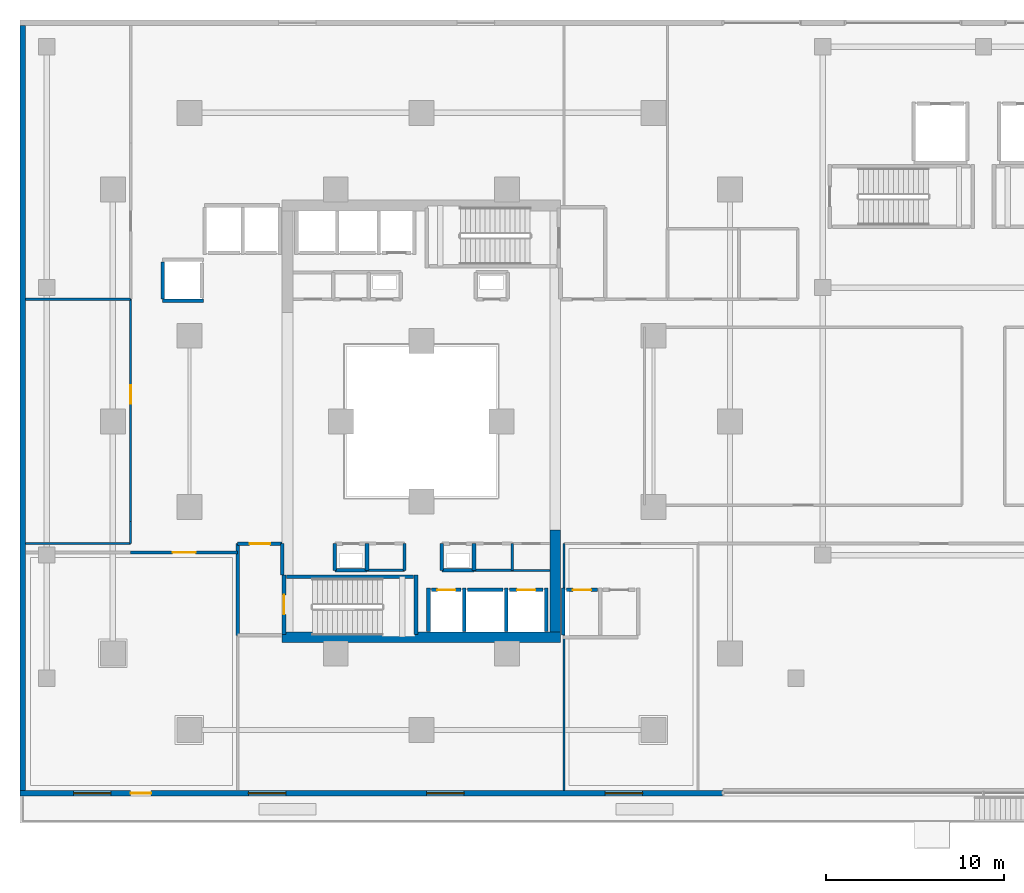
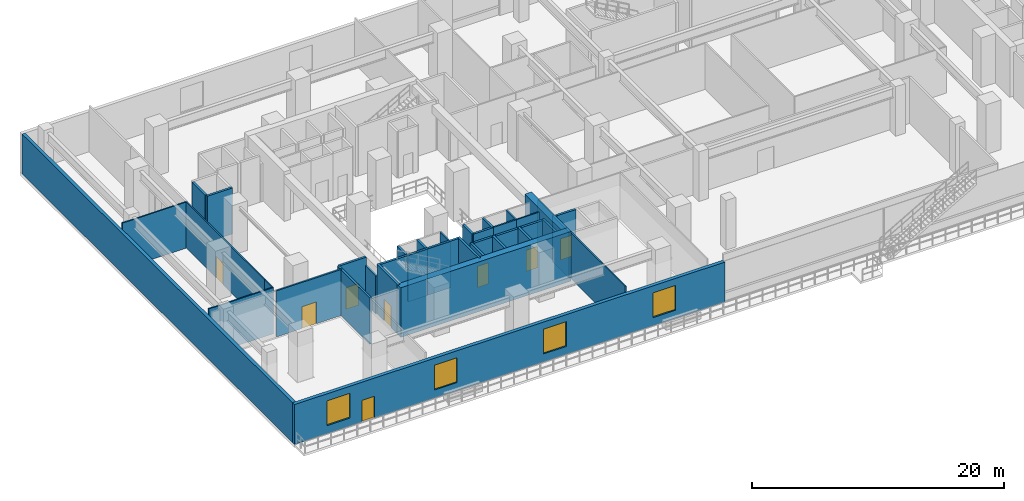
# One storey, part 11 of 22: 39 walls, 8 doors, 4 windows, 12 openings.
"""IFC4 building model written with IfcOpenShell, lengths in metres."""

from ifc_helpers import new_model, si_unit, direction, frame, frame_2d, origin, place, context, subcontext, project, spatial, rectangle, extrude, material, layer, layer_set, type_object, element, fill, save


model = new_model("IFC4")

# Units and contexts
model_context = context("Model", 3, precision=1e-05, world=origin(), true_north=direction((0.0, 1.0)))
body_context = subcontext(model_context, "Body", "Model", "MODEL_VIEW")
ifc_project = project(units=[si_unit("LENGTHUNIT", "METRE"), si_unit("AREAUNIT", "SQUARE_METRE"), si_unit("VOLUMEUNIT", "CUBIC_METRE"), si_unit("PLANEANGLEUNIT", "RADIAN"), si_unit("MASSUNIT", "GRAM", prefix="KILO")], contexts=[model_context])

# Site, building, storey
site_placement = place(None, origin())
site = spatial("IfcSite", under=ifc_project, at=site_placement, CompositionType="ELEMENT")
building_placement = place(site_placement, origin())
building = spatial("IfcBuilding", under=site, at=building_placement, Name="Thornwick Lancets Civic Towers", CompositionType="ELEMENT")
storey_placement = place(building_placement, frame((0.0, 0.0, 4.800048828125)))
storey = spatial("IfcBuildingStorey", under=building, at=storey_placement, Name="L01", CompositionType="ELEMENT", Elevation=4.800048828125)

# Wall, opening, door
ifc_material_1 = material(Name="Concrete blockwork C40/50", Category="masonry")
ifc_layer_1 = layer(ifc_material_1, 0.199951171875, Name="Concrete blockwork C40/50")
ifc_layer_set_1 = layer_set([ifc_layer_1], Name="Concrete blockwork C40/50")
wall_type_1 = type_object("IfcWallType", Name="WALL_COMP_200", PredefinedType="STANDARD", material=ifc_layer_set_1)
wall_1_placement = place(storey_placement, frame((26.080078125, 17.550048828125, 0.0), z_axis=(0.0, 0.0, 1.0), x_axis=(1.0, 0.0, 0.0)))
wall_1 = element("IfcWall", 1, at=wall_1_placement, inside=storey, type_object=wall_type_1, Name="L01 Hoistway Front Wall FL-A1", PredefinedType="STANDARD", context=body_context, shape_type="SweptSolid", body=[
    extrude(rectangle(XDim=1.639892578125, YDim=0.199951171875, at=frame_2d((0.81982421875, 0.0))), origin(), (0.0, 0.0, 1.0), 4.4599609375),
])
opening_1_placement = place(wall_1_placement, frame((0.31005859375, 0.0, 0.0)))
opening_1 = element("IfcOpeningElement", 2, at=opening_1_placement, cuts=wall_1, Name="Opening LD-FL-A1", PredefinedType="OPENING", context=body_context, shape_type="SweptSolid", body=[
    extrude(rectangle(XDim=1.02001953125, YDim=2.06005859375, at=frame_2d((0.510009765625, 1.030029296875))), frame((0.0, 0.10986328125, 0.0), z_axis=(0.0, -1.0, 0.0), x_axis=(1.0, 0.0, 0.0)), (0.0, 0.0, 1.0), 0.219970703125),
])
ifc_material_2 = material(Name="Brushed bronze stainless steel", Category="steel")
door_type_1 = type_object("IfcDoorType", Name="DOOR_LIFT_SLIDE", OperationType="SLIDING_TO_LEFT", PredefinedType="DOOR", material=ifc_material_2)
door_1_placement = place(opening_1_placement, origin())
door_1 = element("IfcDoor", 3, at=door_1_placement, inside=storey, type_object=door_type_1, Name="L01 Sliding Lift Landing Door LD-FL-A1", OperationType="SLIDING_TO_LEFT", OverallHeight=2.06005859375, OverallWidth=1.02001953125, PredefinedType="DOOR", context=body_context, shape_type="SweptSolid", body=[
    extrude(rectangle(XDim=1.02001953125, YDim=2.06005859375, at=frame_2d((0.510009765625, 1.030029296875))), frame((0.0, 0.02490234375, 0.0), z_axis=(0.0, -1.0, 0.0), x_axis=(1.0, 0.0, 0.0)), (0.0, 0.0, 1.0), 0.050048828125),
])
fill(opening_1, door_1)

# Wall
wall_2_placement = place(storey_placement, frame((28.080078125, 17.550048828125, 0.0), z_axis=(0.0, 0.0, 1.0), x_axis=(1.0, 0.0, 0.0)))
element("IfcWall", 4, at=wall_2_placement, inside=storey, type_object=wall_type_1, Name="L01 Hoistway Front Wall PL-AH1", PredefinedType="STANDARD", context=body_context, shape_type="SweptSolid", body=[
    extrude(rectangle(XDim=1.989990234375, YDim=0.199951171875, at=frame_2d((0.9951171875, 0.0))), origin(), (0.0, 0.0, 1.0), 4.4599609375),
])

# Wall, opening, door
wall_3_placement = place(storey_placement, frame((30.429931640625, 17.550048828125, 0.0), z_axis=(0.0, 0.0, 1.0), x_axis=(1.0, 0.0, 0.0)))
wall_3 = element("IfcWall", 5, at=wall_3_placement, inside=storey, type_object=wall_type_1, Name="L01 Hoistway Front Wall PL-AL1", PredefinedType="STANDARD", context=body_context, shape_type="SweptSolid", body=[
    extrude(rectangle(XDim=1.89013671875, YDim=0.199951171875, at=frame_2d((0.945068359375, 0.0))), origin(), (0.0, 0.0, 1.0), 4.4599609375),
])
opening_2_placement = place(wall_3_placement, frame((0.43505859375, 0.0, 0.0)))
opening_2 = element("IfcOpeningElement", 6, at=opening_2_placement, cuts=wall_3, Name="Opening LD-PL-AL1", PredefinedType="OPENING", context=body_context, shape_type="SweptSolid", body=[
    extrude(rectangle(XDim=1.02001953125, YDim=2.06005859375, at=frame_2d((0.510009765625, 1.030029296875))), frame((0.0, 0.10986328125, 0.0), z_axis=(0.0, -1.0, 0.0), x_axis=(1.0, 0.0, 0.0)), (0.0, 0.0, 1.0), 0.219970703125),
])
door_2_placement = place(opening_2_placement, origin())
door_2 = element("IfcDoor", 7, at=door_2_placement, inside=storey, type_object=door_type_1, Name="L01 Sliding Lift Landing Door LD-PL-AL1", OperationType="SLIDING_TO_LEFT", OverallHeight=2.06005859375, OverallWidth=1.02001953125, PredefinedType="DOOR", context=body_context, shape_type="SweptSolid", body=[
    extrude(rectangle(XDim=1.02001953125, YDim=2.06005859375, at=frame_2d((0.510009765625, 1.030029296875))), frame((0.0, 0.02490234375, 0.0), z_axis=(0.0, -1.0, 0.0), x_axis=(1.0, 0.0, 0.0)), (0.0, 0.0, 1.0), 0.050048828125),
])
fill(opening_2, door_2)

wall_4_placement = place(storey_placement, frame((33.6298828125, 17.550048828125, 0.0), z_axis=(0.0, 0.0, 1.0), x_axis=(1.0, 0.0, 0.0)))
wall_4 = element("IfcWall", 8, at=wall_4_placement, inside=storey, type_object=wall_type_1, Name="L01 Hoistway Front Wall PL-AL2", PredefinedType="STANDARD", context=body_context, shape_type="SweptSolid", body=[
    extrude(rectangle(XDim=1.740234375, YDim=0.199951171875, at=frame_2d((0.8701171875, 0.0))), origin(), (0.0, 0.0, 1.0), 4.4599609375),
])
opening_3_placement = place(wall_4_placement, frame((0.360107421875, 0.0, 0.0)))
opening_3 = element("IfcOpeningElement", 9, at=opening_3_placement, cuts=wall_4, Name="Opening LD-PL-AL2", PredefinedType="OPENING", context=body_context, shape_type="SweptSolid", body=[
    extrude(rectangle(XDim=1.02001953125, YDim=2.06005859375, at=frame_2d((0.510009765625, 1.030029296875))), frame((0.0, 0.10986328125, 0.0), z_axis=(0.0, -1.0, 0.0), x_axis=(1.0, 0.0, 0.0)), (0.0, 0.0, 1.0), 0.219970703125),
])
door_3_placement = place(opening_3_placement, origin())
door_3 = element("IfcDoor", 10, at=door_3_placement, inside=storey, type_object=door_type_1, Name="L01 Sliding Lift Landing Door LD-PL-AL2", OperationType="SLIDING_TO_LEFT", OverallHeight=2.06005859375, OverallWidth=1.02001953125, PredefinedType="DOOR", context=body_context, shape_type="SweptSolid", body=[
    extrude(rectangle(XDim=1.02001953125, YDim=2.06005859375, at=frame_2d((0.510009765625, 1.030029296875))), frame((0.0, 0.02490234375, 0.0), z_axis=(0.0, -1.0, 0.0), x_axis=(1.0, 0.0, 0.0)), (0.0, 0.0, 1.0), 0.050048828125),
])
fill(opening_3, door_3)

# Walls
for number, where, z_axis, x_axis, name in (
    (11, (27.89990234375, 15.2119140625, 0.0), (0.0, 0.0, 1.0), (0.0, 1.0, 0.0), "L01 Hoistway Shaft Wall FL-A1 E"),
    (12, (25.89990234375, 15.2119140625, 0.0), (0.0, 0.0, 1.0), (0.0, 1.0, 0.0), "L01 Hoistway Shaft Wall FL-A1 W"),
    (13, (30.25, 15.2119140625, 0.0), (0.0, 0.0, 1.0), (0.0, 1.0, 0.0), "L01 Hoistway Shaft Wall PL-AH1 E"),
    (14, (32.5, 15.2119140625, 0.0), (0.0, 0.0, 1.0), (0.0, 1.0, 0.0), "L01 Hoistway Shaft Wall PL-AL1 E"),
):
    element("IfcWall", number, at=place(storey_placement, frame(where, z_axis=z_axis, x_axis=x_axis)), inside=storey, type_object=wall_type_1, Name=name, PredefinedType="STANDARD", context=body_context, shape_type="SweptSolid", body=[
        extrude(rectangle(XDim=2.43603515625, YDim=0.199951171875, at=frame_2d((1.218017578125, 0.0))), origin(), (0.0, 0.0, 1.0), 4.4599609375),
    ])
wall_5_placement = place(storey_placement, frame((33.449951171875, 15.011962890625, 0.0), z_axis=(0.0, 0.0, 1.0), x_axis=(0.0, 1.0, 0.0)))
element("IfcWall", 15, at=wall_5_placement, inside=storey, type_object=wall_type_1, Name="L01 Hoistway Shaft Wall PL-AL2 W", PredefinedType="STANDARD", context=body_context, shape_type="SweptSolid", body=[
    extrude(rectangle(XDim=2.635986328125, YDim=0.199951171875, at=frame_2d((1.31787109375, 0.0))), origin(), (0.0, 0.0, 1.0), 4.4599609375),
])
wall_6_placement = place(storey_placement, frame((11.001953125, 33.75, 0.0), z_axis=(0.0, 0.0, 1.0), x_axis=(1.0, 0.0, 0.0)))
element("IfcWall", 16, at=wall_6_placement, inside=storey, type_object=wall_type_1, Name="L01 Hoistway Shaft Wall PL-AM3 S", PredefinedType="STANDARD", context=body_context, shape_type="SweptSolid", body=[
    extrude(rectangle(XDim=2.296142578125, YDim=0.199951171875, at=frame_2d((1.14794921875, 0.0))), origin(), (0.0, 0.0, 1.0), 4.4599609375),
])
wall_7_placement = place(storey_placement, frame((11.0, 33.862060546875, 0.0), z_axis=(0.0, 0.0, 1.0), x_axis=(0.0, 1.0, 0.0)))
element("IfcWall", 17, at=wall_7_placement, inside=storey, type_object=wall_type_1, Name="L01 Hoistway Shaft Wall PL-AM3 W", PredefinedType="STANDARD", context=body_context, shape_type="SweptSolid", body=[
    extrude(rectangle(XDim=2.075927734375, YDim=0.199951171875, at=frame_2d((1.0380859375, 0.0))), origin(), (0.0, 0.0, 1.0), 4.4599609375),
])
wall_8_placement = place(storey_placement, frame((17.699951171875, 18.39990234375, 0.0), z_axis=(0.0, 0.0, 1.0), x_axis=(0.0, 1.0, 0.0)))
element("IfcWall", 18, at=wall_8_placement, inside=storey, type_object=wall_type_1, Name="L01 Partition L01-A-FFLOB1 E2", PredefinedType="STANDARD", context=body_context, shape_type="SweptSolid", body=[
    extrude(rectangle(XDim=1.75, YDim=0.199951171875, at=frame_2d((0.875, 0.0))), origin(), (0.0, 0.0, 1.0), 3.6650390625),
])

# Wall, opening, door
wall_9_placement = place(storey_placement, frame((17.699951171875, 20.14990234375, 0.0), z_axis=(0.0, 0.0, 1.0), x_axis=(-1.0, 0.0, 0.0)))
wall_9 = element("IfcWall", 19, at=wall_9_placement, inside=storey, type_object=wall_type_1, Name="L01 Partition L01-A-FFLOB1 E3", PredefinedType="STANDARD", context=body_context, shape_type="SweptSolid", body=[
    extrude(rectangle(XDim=2.5, YDim=0.199951171875, at=frame_2d((1.25, 0.0))), origin(), (0.0, 0.0, 1.0), 4.4599609375),
])
opening_4_placement = place(wall_9_placement, frame((0.675048828125, 0.0, 0.0)))
opening_4 = element("IfcOpeningElement", 20, at=opening_4_placement, cuts=wall_9, Name="Opening D-L01-0094", PredefinedType="OPENING", context=body_context, shape_type="SweptSolid", body=[
    extrude(rectangle(XDim=1.14990234375, YDim=2.10009765625, at=frame_2d((0.574951171875, 1.050048828125))), frame((0.0, 0.10986328125, 0.0), z_axis=(0.0, -1.0, 0.0), x_axis=(1.0, 0.0, 0.0)), (0.0, 0.0, 1.0), 0.219970703125),
])
ifc_material_3 = material(Name="Glazed fire-resisting steel", Category="steel")
door_type_2 = type_object("IfcDoorType", Name="DOOR_LOBBY_FD60", OperationType="NOTDEFINED", PredefinedType="DOOR", material=ifc_material_3)
door_4_placement = place(opening_4_placement, origin())
door_4 = element("IfcDoor", 21, at=door_4_placement, inside=storey, type_object=door_type_2, Name="L01 South Firefighting Lobby 1 Door", OperationType="SINGLE_SWING_LEFT", OverallHeight=2.10009765625, OverallWidth=1.14990234375, PredefinedType="DOOR", context=body_context, shape_type="SweptSolid", body=[
    extrude(rectangle(XDim=1.14990234375, YDim=2.10009765625, at=frame_2d((0.574951171875, 1.050048828125))), frame((0.0, 0.02490234375, 0.0), z_axis=(0.0, -1.0, 0.0), x_axis=(1.0, 0.0, 0.0)), (0.0, 0.0, 1.0), 0.050048828125),
])
fill(opening_4, door_4)

# Walls
wall_10_placement = place(storey_placement, frame((15.199951171875, 20.14990234375, 0.0), z_axis=(0.0, 0.0, 1.0), x_axis=(0.0, -1.0, 0.0)))
element("IfcWall", 22, at=wall_10_placement, inside=storey, type_object=wall_type_1, Name="L01 Partition L01-A-FFLOB1 E4", PredefinedType="STANDARD", context=body_context, shape_type="SweptSolid", body=[
    extrude(rectangle(XDim=5.14990234375, YDim=0.199951171875, at=frame_2d((2.574951171875, 0.0))), origin(), (0.0, 0.0, 1.0), 4.4599609375),
])
wall_11_placement = place(storey_placement, frame((26.64990234375, 18.64990234375, 0.0), z_axis=(0.0, 0.0, 1.0), x_axis=(1.0, 0.0, 0.0)))
element("IfcWall", 23, at=wall_11_placement, inside=storey, type_object=wall_type_1, Name="L01 Partition L01-A-DUCT1 E1", PredefinedType="STANDARD", context=body_context, shape_type="SweptSolid", body=[
    extrude(rectangle(XDim=1.800048828125, YDim=0.199951171875, at=frame_2d((0.89990234375, 0.0))), origin(), (0.0, 0.0, 1.0), 4.4599609375),
])
for number, where, z_axis, x_axis, name in (
    (24, (28.449951171875, 18.64990234375, 0.0), (0.0, 0.0, 1.0), (0.0, 1.0, 0.0), "L01 Partition L01-A-DUCT1 E2"),
    (25, (26.64990234375, 20.14990234375, 0.0), (0.0, 0.0, 1.0), (0.0, -1.0, 0.0), "L01 Partition L01-A-DUCT1 E4"),
):
    element("IfcWall", number, at=place(storey_placement, frame(where, z_axis=z_axis, x_axis=x_axis)), inside=storey, type_object=wall_type_1, Name=name, PredefinedType="STANDARD", context=body_context, shape_type="SweptSolid", body=[
        extrude(rectangle(XDim=1.5, YDim=0.199951171875, at=frame_2d((0.75, 0.0))), origin(), (0.0, 0.0, 1.0), 4.4599609375),
    ])
wall_12_placement = place(storey_placement, frame((20.64990234375, 18.64990234375, 0.0), z_axis=(0.0, 0.0, 1.0), x_axis=(1.0, 0.0, 0.0)))
element("IfcWall", 26, at=wall_12_placement, inside=storey, type_object=wall_type_1, Name="L01 Partition L01-A-RISER1 E1", PredefinedType="STANDARD", context=body_context, shape_type="SweptSolid", body=[
    extrude(rectangle(XDim=1.800048828125, YDim=0.199951171875, at=frame_2d((0.89990234375, 0.0))), origin(), (0.0, 0.0, 1.0), 4.4599609375),
])
for number, where, z_axis, x_axis, name in (
    (27, (22.449951171875, 18.64990234375, 0.0), (0.0, 0.0, 1.0), (0.0, 1.0, 0.0), "L01 Partition L01-A-RISER1 E2"),
    (28, (20.64990234375, 20.14990234375, 0.0), (0.0, 0.0, 1.0), (0.0, -1.0, 0.0), "L01 Partition L01-A-RISER1 E4"),
):
    element("IfcWall", number, at=place(storey_placement, frame(where, z_axis=z_axis, x_axis=x_axis)), inside=storey, type_object=wall_type_1, Name=name, PredefinedType="STANDARD", context=body_context, shape_type="SweptSolid", body=[
        extrude(rectangle(XDim=1.5, YDim=0.199951171875, at=frame_2d((0.75, 0.0))), origin(), (0.0, 0.0, 1.0), 4.4599609375),
    ])
ifc_material_4 = material(Name="Concrete C60/75", Category="concrete")
ifc_layer_2 = layer(ifc_material_4, 0.60009765625, Name="Concrete C60/75")
ifc_layer_set_2 = layer_set([ifc_layer_2], Name="Concrete C60/75")
wall_type_2 = type_object("IfcWallType", Name="WALL_CORE_600", PredefinedType="SHEAR", material=ifc_layer_set_2)
wall_13_placement = place(storey_placement, frame((17.699951171875, 14.89990234375, 0.0), z_axis=(0.0, 0.0, 1.0), x_axis=(1.0, 0.0, 0.0)))
element("IfcWall", 29, at=wall_13_placement, inside=storey, type_object=wall_type_2, Name="L01 Split Core A1 Shear Wall S", PredefinedType="SHEAR", context=body_context, shape_type="SweptSolid", body=[
    extrude(rectangle(XDim=15.60009765625, YDim=0.60009765625, at=frame_2d((7.800048828125, 0.0))), origin(), (0.0, 0.0, 1.0), 4.800048828125),
])
wall_14_placement = place(storey_placement, frame((33.0, 15.199951171875, 0.0), z_axis=(0.0, 0.0, 1.0), x_axis=(0.0, 1.0, 0.0)))
element("IfcWall", 30, at=wall_14_placement, inside=storey, type_object=wall_type_2, Name="L01 Split Core A1 Shear Wall E", PredefinedType="SHEAR", context=body_context, shape_type="SweptSolid", body=[
    extrude(rectangle(XDim=5.699951171875, YDim=0.60009765625, at=frame_2d((2.85009765625, 0.0))), origin(), (0.0, 0.0, 1.0), 4.800048828125),
])
ifc_material_5 = material(Name="Insulated russet terracotta rainscreen on concrete C40/50", Category="masonry")
ifc_layer_3 = layer(ifc_material_5, 0.300048828125, Name="Insulated russet terracotta rainscreen on concrete C40/50")
ifc_layer_set_3 = layer_set([ifc_layer_3], Name="Insulated russet terracotta rainscreen on concrete C40/50")
wall_type_3 = type_object("IfcWallType", Name="WALL_EXT_RUSSET_300", PredefinedType="STANDARD", material=ifc_layer_set_3)
wall_15_placement = place(storey_placement, frame((3.14990234375, 49.179931640625, 0.0), z_axis=(0.0, 0.0, 1.0), x_axis=(0.0, -1.0, 0.0)))
element("IfcWall", 31, at=wall_15_placement, inside=storey, type_object=wall_type_3, Name="L01 Podium West Facade Wall", PredefinedType="STANDARD", context=body_context, shape_type="SweptSolid", body=[
    extrude(rectangle(XDim=42.85986328125, YDim=0.300048828125, at=frame_2d((21.429931640625, 0.0))), origin(), (0.0, 0.0, 1.0), 3.85986328125),
])

# Wall, openings, door, windows
ifc_material_6 = material(Name="Insulated buff terracotta rainscreen on concrete C40/50", Category="masonry")
ifc_layer_4 = layer(ifc_material_6, 0.320068359375, Name="Insulated buff terracotta rainscreen on concrete C40/50")
ifc_layer_set_4 = layer_set([ifc_layer_4], Name="Insulated buff terracotta rainscreen on concrete C40/50")
wall_type_4 = type_object("IfcWallType", Name="WALL_EXT_TERRA_320", PredefinedType="STANDARD", material=ifc_layer_set_4)
wall_16_placement = place(storey_placement, frame((3.0, 6.159912109375, 0.0), z_axis=(0.0, 0.0, 1.0), x_axis=(1.0, 0.0, 0.0)))
wall_16 = element("IfcWall", 32, at=wall_16_placement, inside=storey, type_object=wall_type_4, Name="L01 Podium South-West Facade Wall", PredefinedType="STANDARD", context=body_context, shape_type="SweptSolid", body=[
    extrude(rectangle(XDim=39.39990234375, YDim=0.320068359375, at=frame_2d((19.699951171875, 0.0))), origin(), (0.0, 0.0, 1.0), 3.85986328125),
])
opening_5_placement = place(wall_16_placement, frame((6.199951171875, 0.0, 0.0)))
opening_5 = element("IfcOpeningElement", 33, at=opening_5_placement, cuts=wall_16, Name="Opening D-TR-L01-1", PredefinedType="OPENING", context=body_context, shape_type="SweptSolid", body=[
    extrude(rectangle(XDim=1.14990234375, YDim=2.10009765625, at=frame_2d((0.574951171875, 1.050048828125))), frame((0.0, 0.169921875, 0.0), z_axis=(0.0, -1.0, 0.0), x_axis=(1.0, 0.0, 0.0)), (0.0, 0.0, 1.0), 0.340087890625),
])
opening_6_placement = place(wall_16_placement, frame((3.0, 0.0, 0.780029296875)))
opening_6 = element("IfcOpeningElement", 34, at=opening_6_placement, cuts=wall_16, Name="Opening WP-21", PredefinedType="OPENING", context=body_context, shape_type="SweptSolid", body=[
    extrude(rectangle(XDim=2.10009765625, YDim=2.39990234375, at=frame_2d((1.050048828125, 1.199951171875))), frame((0.0, 0.169921875, 0.0), z_axis=(0.0, -1.0, 0.0), x_axis=(1.0, 0.0, 0.0)), (0.0, 0.0, 1.0), 0.340087890625),
])
opening_7_placement = place(wall_16_placement, frame((12.800048828125, 0.0, 0.780029296875)))
opening_7 = element("IfcOpeningElement", 35, at=opening_7_placement, cuts=wall_16, Name="Opening WP-21", PredefinedType="OPENING", context=body_context, shape_type="SweptSolid", body=[
    extrude(rectangle(XDim=2.10009765625, YDim=2.39990234375, at=frame_2d((1.050048828125, 1.199951171875))), frame((0.0, 0.169921875, 0.0), z_axis=(0.0, -1.0, 0.0), x_axis=(1.0, 0.0, 0.0)), (0.0, 0.0, 1.0), 0.340087890625),
])
opening_8_placement = place(wall_16_placement, frame((22.800048828125, 0.0, 0.780029296875)))
opening_8 = element("IfcOpeningElement", 36, at=opening_8_placement, cuts=wall_16, Name="Opening WP-21", PredefinedType="OPENING", context=body_context, shape_type="SweptSolid", body=[
    extrude(rectangle(XDim=2.10009765625, YDim=2.39990234375, at=frame_2d((1.050048828125, 1.199951171875))), frame((0.0, 0.169921875, 0.0), z_axis=(0.0, -1.0, 0.0), x_axis=(1.0, 0.0, 0.0)), (0.0, 0.0, 1.0), 0.340087890625),
])
opening_9_placement = place(wall_16_placement, frame((32.800048828125, 0.0, 0.780029296875)))
opening_9 = element("IfcOpeningElement", 37, at=opening_9_placement, cuts=wall_16, Name="Opening WP-21", PredefinedType="OPENING", context=body_context, shape_type="SweptSolid", body=[
    extrude(rectangle(XDim=2.10009765625, YDim=2.39990234375, at=frame_2d((1.050048828125, 1.199951171875))), frame((0.0, 0.169921875, 0.0), z_axis=(0.0, -1.0, 0.0), x_axis=(1.0, 0.0, 0.0)), (0.0, 0.0, 1.0), 0.340087890625),
])
ifc_material_7 = material(Name="Thermally broken glazed terrace doorset")
door_type_3 = type_object("IfcDoorType", Name="DOOR_TERRACE_1200", OperationType="NOTDEFINED", PredefinedType="DOOR", material=ifc_material_7)
door_5_placement = place(opening_5_placement, origin())
door_5 = element("IfcDoor", 38, at=door_5_placement, inside=storey, type_object=door_type_3, Name="L01 Cascading Garden Terrace Door 1", OperationType="SINGLE_SWING_LEFT", OverallHeight=2.10009765625, OverallWidth=1.14990234375, PredefinedType="DOOR", context=body_context, shape_type="SweptSolid", body=[
    extrude(rectangle(XDim=1.14990234375, YDim=2.10009765625, at=frame_2d((0.574951171875, 1.050048828125))), frame((0.0, 0.02490234375, 0.0), z_axis=(0.0, -1.0, 0.0), x_axis=(1.0, 0.0, 0.0)), (0.0, 0.0, 1.0), 0.050048828125),
])
fill(opening_5, door_5)
ifc_material_8 = material(Name="Grand civic pointed lancet glass window", Category="glass")
window_type = type_object("IfcWindowType", Name="WIN_PODIUM_2100", PartitioningType="SINGLE_PANEL", PredefinedType="WINDOW", material=ifc_material_8)
window_1_placement = place(opening_6_placement, origin())
window_1 = element("IfcWindow", 39, at=window_1_placement, inside=storey, type_object=window_type, Name="L01 Podium Lancet Window 1", OverallHeight=2.39990234375, OverallWidth=2.10009765625, PartitioningType="SINGLE_PANEL", PredefinedType="WINDOW", context=body_context, shape_type="SweptSolid", body=[
    extrude(rectangle(XDim=2.10009765625, YDim=2.39990234375, at=frame_2d((1.050048828125, 1.199951171875))), frame((0.0, 0.030029296875, 0.0), z_axis=(0.0, -1.0, 0.0), x_axis=(1.0, 0.0, 0.0)), (0.0, 0.0, 1.0), 0.06005859375),
])
fill(opening_6, window_1)
window_2_placement = place(opening_7_placement, origin())
window_2 = element("IfcWindow", 40, at=window_2_placement, inside=storey, type_object=window_type, Name="L01 Podium Lancet Window 2", OverallHeight=2.39990234375, OverallWidth=2.10009765625, PartitioningType="SINGLE_PANEL", PredefinedType="WINDOW", context=body_context, shape_type="SweptSolid", body=[
    extrude(rectangle(XDim=2.10009765625, YDim=2.39990234375, at=frame_2d((1.050048828125, 1.199951171875))), frame((0.0, 0.030029296875, 0.0), z_axis=(0.0, -1.0, 0.0), x_axis=(1.0, 0.0, 0.0)), (0.0, 0.0, 1.0), 0.06005859375),
])
fill(opening_7, window_2)
window_3_placement = place(opening_8_placement, origin())
window_3 = element("IfcWindow", 41, at=window_3_placement, inside=storey, type_object=window_type, Name="L01 Podium Lancet Window 3", OverallHeight=2.39990234375, OverallWidth=2.10009765625, PartitioningType="SINGLE_PANEL", PredefinedType="WINDOW", context=body_context, shape_type="SweptSolid", body=[
    extrude(rectangle(XDim=2.10009765625, YDim=2.39990234375, at=frame_2d((1.050048828125, 1.199951171875))), frame((0.0, 0.030029296875, 0.0), z_axis=(0.0, -1.0, 0.0), x_axis=(1.0, 0.0, 0.0)), (0.0, 0.0, 1.0), 0.06005859375),
])
fill(opening_8, window_3)
window_4_placement = place(opening_9_placement, origin())
window_4 = element("IfcWindow", 42, at=window_4_placement, inside=storey, type_object=window_type, Name="L01 Podium Lancet Window 4", OverallHeight=2.39990234375, OverallWidth=2.10009765625, PartitioningType="SINGLE_PANEL", PredefinedType="WINDOW", context=body_context, shape_type="SweptSolid", body=[
    extrude(rectangle(XDim=2.10009765625, YDim=2.39990234375, at=frame_2d((1.050048828125, 1.199951171875))), frame((0.0, 0.030029296875, 0.0), z_axis=(0.0, -1.0, 0.0), x_axis=(1.0, 0.0, 0.0)), (0.0, 0.0, 1.0), 0.06005859375),
])
fill(opening_9, window_4)

# Walls
ifc_material_9 = material(Name="Acoustic gypsum board partition")
ifc_layer_5 = layer(ifc_material_9, 0.1201171875, Name="Acoustic gypsum board partition")
ifc_layer_set_5 = layer_set([ifc_layer_5], Name="Acoustic gypsum board partition")
wall_type_5 = type_object("IfcWallType", Name="WALL_PART_120", PredefinedType="PARTITIONING", material=ifc_layer_set_5)
wall_17_placement = place(storey_placement, frame((32.699951171875, 18.64990234375, 0.0), z_axis=(0.0, 0.0, 1.0), x_axis=(-1.0, 0.0, 0.0)))
element("IfcWall", 43, at=wall_17_placement, inside=storey, type_object=wall_type_5, Name="L01 Partition L01-A-ITR E2", PredefinedType="PARTITIONING", context=body_context, shape_type="SweptSolid", body=[
    extrude(rectangle(XDim=2.099853515625, YDim=0.1201171875, at=frame_2d((1.0498046875, 0.0))), origin(), (0.0, 0.0, 1.0), 4.4599609375),
])
wall_18_placement = place(storey_placement, frame((33.5, 6.320068359375, 0.0), z_axis=(0.0, 0.0, 1.0), x_axis=(0.0, 1.0, 0.0)))
element("IfcWall", 44, at=wall_18_placement, inside=storey, type_object=wall_type_5, Name="L01 Partition L01-GALL E2", PredefinedType="PARTITIONING", context=body_context, shape_type="SweptSolid", body=[
    extrude(rectangle(XDim=8.69189453125, YDim=0.1201171875, at=frame_2d((4.345947265625, 0.0))), origin(), (0.0, 0.0, 1.0), 4.4599609375),
])
wall_19_placement = place(storey_placement, frame((33.5, 17.64794921875, 0.0), z_axis=(0.0, 0.0, 1.0), x_axis=(0.0, 1.0, 0.0)))
element("IfcWall", 45, at=wall_19_placement, inside=storey, type_object=wall_type_5, Name="L01 Partition L01-GALL E2", PredefinedType="PARTITIONING", context=body_context, shape_type="SweptSolid", body=[
    extrude(rectangle(XDim=2.501953125, YDim=0.1201171875, at=frame_2d((1.2509765625, 0.0))), origin(), (0.0, 0.0, 1.0), 4.4599609375),
])
wall_20_placement = place(storey_placement, frame((3.300048828125, 33.85009765625, 0.0), z_axis=(0.0, 0.0, 1.0), x_axis=(1.0, 0.0, 0.0)))
element("IfcWall", 46, at=wall_20_placement, inside=storey, type_object=wall_type_5, Name="L01 Partition L01-WESTS E2", PredefinedType="PARTITIONING", context=body_context, shape_type="SweptSolid", body=[
    extrude(rectangle(XDim=5.89990234375, YDim=0.1201171875, at=frame_2d((2.949951171875, 0.0))), origin(), (0.0, 0.0, 1.0), 4.4599609375),
])

# Wall, opening, door
wall_21_placement = place(storey_placement, frame((9.199951171875, 33.85009765625, 0.0), z_axis=(0.0, 0.0, 1.0), x_axis=(0.0, -1.0, 0.0)))
wall_21 = element("IfcWall", 47, at=wall_21_placement, inside=storey, type_object=wall_type_5, Name="L01 Partition L01-WESTS E3", PredefinedType="PARTITIONING", context=body_context, shape_type="SweptSolid", body=[
    extrude(rectangle(XDim=12.4501953125, YDim=0.1201171875, at=frame_2d((6.22509765625, 0.0))), origin(), (0.0, 0.0, 1.0), 4.4599609375),
])
opening_10_placement = place(wall_21_placement, frame((4.820068359375, 0.0, 0.0)))
opening_10 = element("IfcOpeningElement", 48, at=opening_10_placement, cuts=wall_21, Name="Opening D-L01-0124", PredefinedType="OPENING", context=body_context, shape_type="SweptSolid", body=[
    extrude(rectangle(XDim=1.050048828125, YDim=2.10009765625, at=frame_2d((0.52490234375, 1.050048828125))), frame((0.0, 0.070068359375, 0.0), z_axis=(0.0, -1.0, 0.0), x_axis=(1.0, 0.0, 0.0)), (0.0, 0.0, 1.0), 0.14013671875),
])
ifc_material_10 = material(Name="Glazed European oak executive doorset")
door_type_4 = type_object("IfcDoorType", Name="DOOR_OFFICE_1050", OperationType="NOTDEFINED", PredefinedType="DOOR", material=ifc_material_10)
door_6_placement = place(opening_10_placement, origin())
door_6 = element("IfcDoor", 49, at=door_6_placement, inside=storey, type_object=door_type_4, Name="Members Reading Library Door", OperationType="SINGLE_SWING_LEFT", OverallHeight=2.10009765625, OverallWidth=1.050048828125, PredefinedType="DOOR", context=body_context, shape_type="SweptSolid", body=[
    extrude(rectangle(XDim=1.050048828125, YDim=2.10009765625, at=frame_2d((0.52490234375, 1.050048828125))), frame((0.0, 0.02490234375, 0.0), z_axis=(0.0, -1.0, 0.0), x_axis=(1.0, 0.0, 0.0)), (0.0, 0.0, 1.0), 0.050048828125),
])
fill(opening_10, door_6)

# Walls
wall_22_placement = place(storey_placement, frame((9.199951171875, 21.39990234375, 0.0), z_axis=(0.0, 0.0, 1.0), x_axis=(0.0, -1.0, 0.0)))
element("IfcWall", 50, at=wall_22_placement, inside=storey, type_object=wall_type_5, Name="L01 Partition L01-WESTS E4", PredefinedType="PARTITIONING", context=body_context, shape_type="SweptSolid", body=[
    extrude(rectangle(XDim=1.25, YDim=0.1201171875, at=frame_2d((0.625, 0.0))), origin(), (0.0, 0.0, 1.0), 4.4599609375),
])
wall_23_placement = place(storey_placement, frame((9.199951171875, 20.14990234375, 0.0), z_axis=(0.0, 0.0, 1.0), x_axis=(-1.0, 0.0, 0.0)))
element("IfcWall", 51, at=wall_23_placement, inside=storey, type_object=wall_type_5, Name="L01 Partition L01-WESTS E5", PredefinedType="PARTITIONING", context=body_context, shape_type="SweptSolid", body=[
    extrude(rectangle(XDim=5.89990234375, YDim=0.1201171875, at=frame_2d((2.949951171875, 0.0))), origin(), (0.0, 0.0, 1.0), 4.4599609375),
])
ifc_material_11 = material(Name="Twin-stud acoustic gypsum board")
ifc_layer_6 = layer(ifc_material_11, 0.14990234375, Name="Twin-stud acoustic gypsum board")
ifc_layer_set_6 = layer_set([ifc_layer_6], Name="Twin-stud acoustic gypsum board")
wall_type_6 = type_object("IfcWallType", Name="WALL_PART_150", PredefinedType="PARTITIONING", material=ifc_layer_set_6)
wall_24_placement = place(storey_placement, frame((24.550048828125, 20.14990234375, 0.0), z_axis=(0.0, 0.0, 1.0), x_axis=(0.0, -1.0, 0.0)))
element("IfcWall", 52, at=wall_24_placement, inside=storey, type_object=wall_type_6, Name="L01 Partition L01-A-MWC E1", PredefinedType="PARTITIONING", context=body_context, shape_type="SweptSolid", body=[
    extrude(rectangle(XDim=1.5, YDim=0.14990234375, at=frame_2d((0.75, 0.0))), origin(), (0.0, 0.0, 1.0), 4.4599609375),
])
wall_25_placement = place(storey_placement, frame((24.550048828125, 18.64990234375, 0.0), z_axis=(0.0, 0.0, 1.0), x_axis=(-1.0, 0.0, 0.0)))
element("IfcWall", 53, at=wall_25_placement, inside=storey, type_object=wall_type_6, Name="L01 Partition L01-A-MWC E2", PredefinedType="PARTITIONING", context=body_context, shape_type="SweptSolid", body=[
    extrude(rectangle(XDim=2.10009765625, YDim=0.14990234375, at=frame_2d((1.050048828125, 0.0))), origin(), (0.0, 0.0, 1.0), 4.4599609375),
])
wall_26_placement = place(storey_placement, frame((30.60009765625, 20.14990234375, 0.0), z_axis=(0.0, 0.0, 1.0), x_axis=(0.0, -1.0, 0.0)))
element("IfcWall", 54, at=wall_26_placement, inside=storey, type_object=wall_type_6, Name="L01 Partition L01-A-FWC E1", PredefinedType="PARTITIONING", context=body_context, shape_type="SweptSolid", body=[
    extrude(rectangle(XDim=1.5, YDim=0.14990234375, at=frame_2d((0.75, 0.0))), origin(), (0.0, 0.0, 1.0), 4.4599609375),
])
wall_27_placement = place(storey_placement, frame((30.60009765625, 18.64990234375, 0.0), z_axis=(0.0, 0.0, 1.0), x_axis=(-1.0, 0.0, 0.0)))
element("IfcWall", 55, at=wall_27_placement, inside=storey, type_object=wall_type_6, Name="L01 Partition L01-A-FWC E2", PredefinedType="PARTITIONING", context=body_context, shape_type="SweptSolid", body=[
    extrude(rectangle(XDim=2.150146484375, YDim=0.14990234375, at=frame_2d((1.0751953125, 0.0))), origin(), (0.0, 0.0, 1.0), 4.4599609375),
])

# Wall, opening, door
wall_28_placement = place(storey_placement, frame((9.199951171875, 19.64990234375, 0.0), z_axis=(0.0, 0.0, 1.0), x_axis=(1.0, 0.0, 0.0)))
wall_28 = element("IfcWall", 56, at=wall_28_placement, inside=storey, type_object=wall_type_6, Name="L01 Partition L01-COMM1 E4", PredefinedType="PARTITIONING", context=body_context, shape_type="SweptSolid", body=[
    extrude(rectangle(XDim=6.0, YDim=0.14990234375, at=frame_2d((3.0, 0.0))), origin(), (0.0, 0.0, 1.0), 4.4599609375),
])
opening_11_placement = place(wall_28_placement, frame((2.35009765625, 0.0, 0.0)))
opening_11 = element("IfcOpeningElement", 57, at=opening_11_placement, cuts=wall_28, Name="Opening D-L01-0119", PredefinedType="OPENING", context=body_context, shape_type="SweptSolid", body=[
    extrude(rectangle(XDim=1.300048828125, YDim=2.1201171875, at=frame_2d((0.64990234375, 1.06005859375))), frame((0.0, 0.0849609375, 0.0), z_axis=(0.0, -1.0, 0.0), x_axis=(1.0, 0.0, 0.0)), (0.0, 0.0, 1.0), 0.169921875),
])
ifc_material_12 = material(Name="Acoustic oak leaf-and-a-half doorset")
door_type_5 = type_object("IfcDoorType", Name="DOOR_MEET_1300", OperationType="DOUBLE_DOOR_SINGLE_SWING", PredefinedType="DOOR", material=ifc_material_12)
door_7_placement = place(opening_11_placement, origin())
door_7 = element("IfcDoor", 58, at=door_7_placement, inside=storey, type_object=door_type_5, Name="Standing Committee Room 1 Door", OperationType="DOUBLE_DOOR_SINGLE_SWING", OverallHeight=2.1201171875, OverallWidth=1.300048828125, PredefinedType="DOOR", context=body_context, shape_type="SweptSolid", body=[
    extrude(rectangle(XDim=1.300048828125, YDim=2.1201171875, at=frame_2d((0.64990234375, 1.06005859375))), frame((0.0, 0.02490234375, 0.0), z_axis=(0.0, -1.0, 0.0), x_axis=(1.0, 0.0, 0.0)), (0.0, 0.0, 1.0), 0.050048828125),
])
fill(opening_11, door_7)

ifc_material_13 = material(Name="Concrete C40/50", Category="concrete")
ifc_layer_7 = layer(ifc_material_13, 0.199951171875, Name="Concrete C40/50")
ifc_layer_set_7 = layer_set([ifc_layer_7], Name="Concrete C40/50")
wall_type_7 = type_object("IfcWallType", Name="WALL_SHAFT_200", PredefinedType="SHEAR", material=ifc_layer_set_7)
wall_29_placement = place(storey_placement, frame((17.800048828125, 15.050048828125, 0.0), z_axis=(0.0, 0.0, 1.0), x_axis=(0.0, 1.0, 0.0)))
wall_29 = element("IfcWall", 59, at=wall_29_placement, inside=storey, type_object=wall_type_7, Name="L01 ST-A1 Fire Stair Core Wall NEAR", PredefinedType="SHEAR", context=body_context, shape_type="SweptSolid", body=[
    extrude(rectangle(XDim=3.349853515625, YDim=0.199951171875, at=frame_2d((1.6748046875, 0.0))), origin(), (0.0, 0.0, 1.0), 4.800048828125),
])
opening_12_placement = place(wall_29_placement, frame((1.125, 0.0, 0.0)))
opening_12 = element("IfcOpeningElement", 60, at=opening_12_placement, cuts=wall_29, Name="Opening D-ST-A1-L01", PredefinedType="OPENING", context=body_context, shape_type="SweptSolid", body=[
    extrude(rectangle(XDim=1.10009765625, YDim=2.10009765625, at=frame_2d((0.550048828125, 1.050048828125))), frame((0.0, 0.10986328125, 0.0), z_axis=(0.0, -1.0, 0.0), x_axis=(1.0, 0.0, 0.0)), (0.0, 0.0, 1.0), 0.219970703125),
])
ifc_material_14 = material(Name="Fire-resisting steel and hardwood", Category="steel")
door_type_6 = type_object("IfcDoorType", Name="DOOR_STAIR_FD60", OperationType="NOTDEFINED", PredefinedType="DOOR", material=ifc_material_14)
door_8_placement = place(opening_12_placement, origin())
door_8 = element("IfcDoor", 61, at=door_8_placement, inside=storey, type_object=door_type_6, Name="L01 ST-A1 Exit Stair Door", OperationType="SINGLE_SWING_LEFT", OverallHeight=2.10009765625, OverallWidth=1.10009765625, PredefinedType="DOOR", context=body_context, shape_type="SweptSolid", body=[
    extrude(rectangle(XDim=1.10009765625, YDim=2.10009765625, at=frame_2d((0.550048828125, 1.050048828125))), frame((0.0, 0.02490234375, 0.0), z_axis=(0.0, -1.0, 0.0), x_axis=(1.0, 0.0, 0.0)), (0.0, 0.0, 1.0), 0.050048828125),
])
fill(opening_12, door_8)

# Walls
wall_30_placement = place(storey_placement, frame((25.199951171875, 18.39990234375, 0.0), z_axis=(0.0, 0.0, 1.0), x_axis=(0.0, -1.0, 0.0)))
element("IfcWall", 62, at=wall_30_placement, inside=storey, type_object=wall_type_7, Name="L01 ST-A1 Fire Stair Core Wall FAR", PredefinedType="SHEAR", context=body_context, shape_type="SweptSolid", body=[
    extrude(rectangle(XDim=3.349853515625, YDim=0.199951171875, at=frame_2d((1.6748046875, 0.0))), origin(), (0.0, 0.0, 1.0), 4.800048828125),
])
wall_31_placement = place(storey_placement, frame((25.050048828125, 18.297119140625, 0.0), z_axis=(0.0, 0.0, 1.0), x_axis=(-1.0, 0.0, 0.0)))
element("IfcWall", 63, at=wall_31_placement, inside=storey, type_object=wall_type_7, Name="L01 ST-A1 Fire Stair Core Wall RIGHT", PredefinedType="SHEAR", context=body_context, shape_type="SweptSolid", body=[
    extrude(rectangle(XDim=7.10009765625, YDim=0.199951171875, at=frame_2d((3.550048828125, 0.0))), origin(), (0.0, 0.0, 1.0), 4.800048828125),
])

save(model, "model.ifc")
